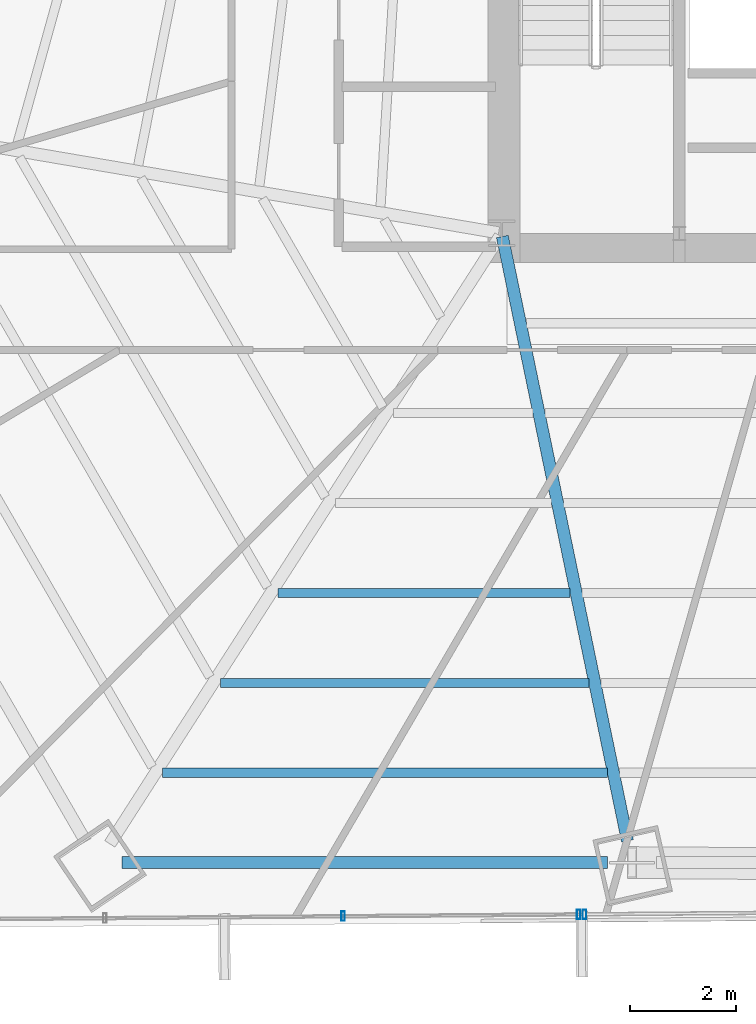
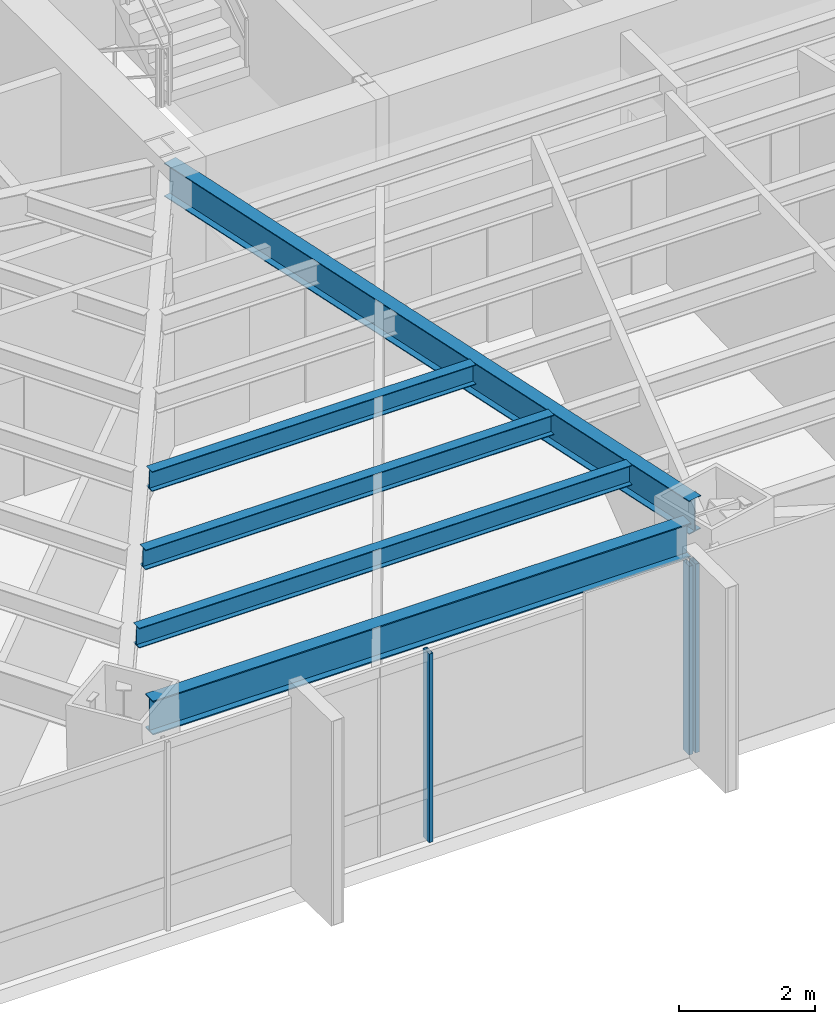
# One storey, part 8 of 36: 5 beams, 3 members, 2 elements without a shape of their own.
"""IFC4 building model written with IfcOpenShell, lengths in metres."""

from ifc_helpers import new_model, si_unit, direction, frame, origin, origin_2d, place, context, subcontext, project, spatial, hollow_rectangle, i_section, extrude, source, transform, mapped, material, material_profile, profile_set, type_object, type_shapes, element, aggregate, save


model = new_model("IFC4")

# Units and contexts
model_context = context("Model", 3, precision=1e-05, world=origin(), true_north=direction((0.0, 1.0)))
body_context = subcontext(model_context, "Body", "Model", "MODEL_VIEW")
ifc_project = project(units=[si_unit("LENGTHUNIT", "METRE"), si_unit("AREAUNIT", "SQUARE_METRE"), si_unit("VOLUMEUNIT", "CUBIC_METRE"), si_unit("PLANEANGLEUNIT", "RADIAN"), si_unit("MASSUNIT", "GRAM", prefix="KILO")], contexts=[model_context])

# Site, building, storey
site_placement = place(None, origin())
site = spatial("IfcSite", under=ifc_project, at=site_placement, CompositionType="ELEMENT")
building_placement = place(site_placement, origin())
building = spatial("IfcBuilding", under=site, at=building_placement, Name="Caelisora Broadcast Tower", CompositionType="ELEMENT")
storey_placement = place(building_placement, frame((0.0, 0.0, 60.449951171875)))
storey = spatial("IfcBuildingStorey", under=building, at=storey_placement, Name="L15", CompositionType="ELEMENT", Elevation=60.449951171875)

# Beams
ifc_material_1 = material(Name="Steel Grade 350 (AS/NZS 3679.1)", Category="steel")
ifc_material_profile_1 = material_profile(ifc_material_1, i_section(OverallWidth=0.22900390625, OverallDepth=0.611572265625, WebThickness=0.011962890625, FlangeThickness=0.01953125, at=origin_2d()), Name="Steel Grade 350 (AS/NZS 3679.1)")
ifc_profile_set_1 = profile_set([ifc_material_profile_1], Name="Steel Grade 350 (AS/NZS 3679.1)")
beam_type_1 = type_object("IfcBeamType", Name="PG03", PredefinedType="BEAM", material=ifc_profile_set_1)
shared_shape_1 = source(origin(), body_context, "Body", "SweptSolid", [
    extrude(i_section(OverallWidth=0.22900390625, OverallDepth=0.611572265625, WebThickness=0.011962890625, FlangeThickness=0.01953125, at=origin_2d()), origin(), (0.0, 0.0, 1.0), 9.16259765625),
])
type_shapes(beam_type_1, [shared_shape_1])
beam_1_placement = place(storey_placement, frame((23.336181640625, 5.52294921875, 3.09423828125), z_axis=(1.0, 0.0, 0.0), x_axis=(0.0, 1.0, 0.0)))
element("IfcBeam", 1, at=beam_1_placement, inside=storey, type_object=beam_type_1, Name="L15 beam PG03", PredefinedType="BEAM", context=body_context, shape_type="MappedRepresentation", body=[
    mapped(shared_shape_1, transform((0.0, 0.0, 0.0), scale=1.0)),
])
ifc_material_profile_2 = material_profile(ifc_material_1, i_section(OverallWidth=0.22802734375, OverallDepth=0.602294921875, WebThickness=0.010498046875, FlangeThickness=0.014892578125, at=origin_2d()), Name="Steel Grade 350 (AS/NZS 3679.1)")
ifc_profile_set_2 = profile_set([ifc_material_profile_2], Name="Steel Grade 350 (AS/NZS 3679.1)")
beam_type_2 = type_object("IfcBeamType", Name="PG04", PredefinedType="BEAM", material=ifc_profile_set_2)
shared_shape_2 = source(origin(), body_context, "Body", "SweptSolid", [
    extrude(i_section(OverallWidth=0.22802734375, OverallDepth=0.602294921875, WebThickness=0.010498046875, FlangeThickness=0.014892578125, at=origin_2d()), origin(), (0.0, 0.0, 1.0), 11.64892578125),
])
type_shapes(beam_type_2, [shared_shape_2])
beam_2_placement = place(storey_placement, frame((30.51220703125, 17.34130859375, 3.098876953125), z_axis=(0.202709558426, -0.979238905948, 0.0), x_axis=(0.979238905948, 0.202709558426, 0.0)))
element("IfcBeam", 2, at=beam_2_placement, inside=storey, type_object=beam_type_2, Name="L15 beam PG04", PredefinedType="BEAM", context=body_context, shape_type="MappedRepresentation", body=[
    mapped(shared_shape_2, transform((0.0, 0.0, 0.0), scale=1.0)),
])
ifc_material_profile_3 = material_profile(ifc_material_1, i_section(OverallWidth=0.172119140625, OverallDepth=0.358642578125, WebThickness=0.008056640625, FlangeThickness=0.012939453125, at=origin_2d()), Name="Steel Grade 350 (AS/NZS 3679.1)")
ifc_profile_set_3 = profile_set([ifc_material_profile_3], Name="Steel Grade 350 (AS/NZS 3679.1)")
beam_type_3 = type_object("IfcBeamType", Name="SB02", PredefinedType="JOIST", material=ifc_profile_set_3)
shared_shape_3 = source(origin(), body_context, "Body", "SweptSolid", [
    extrude(i_section(OverallWidth=0.172119140625, OverallDepth=0.358642578125, WebThickness=0.008056640625, FlangeThickness=0.012939453125, at=origin_2d()), origin(), (0.0, 0.0, 1.0), 5.515625),
])
beam_3_placement = place(storey_placement, frame((26.27587890625, 10.613037109375, 3.220703125), z_axis=(1.0, 0.0, 0.0), x_axis=(0.0, 1.0, 0.0)))
element("IfcBeam", 3, at=beam_3_placement, inside=storey, type_object=beam_type_3, Name="L15 beam SB02", PredefinedType="JOIST", context=body_context, shape_type="MappedRepresentation", body=[
    mapped(shared_shape_3, transform((0.0, 0.0, 0.0), scale=1.0)),
])
shared_shape_4 = source(origin(), body_context, "Body", "SweptSolid", [
    extrude(i_section(OverallWidth=0.172119140625, OverallDepth=0.358642578125, WebThickness=0.008056640625, FlangeThickness=0.012939453125, at=origin_2d()), origin(), (0.0, 0.0, 1.0), 6.955810546875),
])
beam_4_placement = place(storey_placement, frame((25.18701171875, 8.91650390625, 3.220703125), z_axis=(1.0, 0.0, 0.0), x_axis=(0.0, 1.0, 0.0)))
element("IfcBeam", 4, at=beam_4_placement, inside=storey, type_object=beam_type_3, Name="L15 beam SB02", PredefinedType="JOIST", context=body_context, shape_type="MappedRepresentation", body=[
    mapped(shared_shape_4, transform((0.0, 0.0, 0.0), scale=1.0)),
])
shared_shape_5 = source(origin(), body_context, "Body", "SweptSolid", [
    extrude(i_section(OverallWidth=0.172119140625, OverallDepth=0.358642578125, WebThickness=0.008056640625, FlangeThickness=0.012939453125, at=origin_2d()), origin(), (0.0, 0.0, 1.0), 8.396484375),
])
type_shapes(beam_type_3, [shared_shape_3, shared_shape_4, shared_shape_5])
beam_5_placement = place(storey_placement, frame((24.09765625, 7.2197265625, 3.220703125), z_axis=(1.0, 0.0, 0.0), x_axis=(0.0, 1.0, 0.0)))
element("IfcBeam", 5, at=beam_5_placement, inside=storey, type_object=beam_type_3, Name="L15 beam SB02", PredefinedType="JOIST", context=body_context, shape_type="MappedRepresentation", body=[
    mapped(shared_shape_5, transform((0.0, 0.0, 0.0), scale=1.0)),
])

# Curtain wall, member
ifc_material_2 = material(Name="Unitised Aluminium Insulated Shadow-Box Spandrel Curtain Wall", Category="aluminium")
curtain_wall_type_1 = type_object("IfcCurtainWallType", Name="CW-SP1", PredefinedType="NOTDEFINED", material=ifc_material_2)
curtain_wall_1_placement = place(storey_placement, origin())
curtain_wall_1 = element("IfcCurtainWall", 6, at=curtain_wall_1_placement, inside=storey, type_object=curtain_wall_type_1, Name="L15 curtain wall CW-SP1", PredefinedType="NOTDEFINED")
ifc_material_3 = material(Name="Aluminium 6063-T6 Anodised Terracotta Bronze", Category="aluminium")
ifc_material_profile_4 = material_profile(ifc_material_3, hollow_rectangle(XDim=0.06494140625, YDim=0.179931640625, WallThickness=0.00341796875, at=origin_2d()), Name="Aluminium 6063-T6 Anodised Terracotta Bronze")
ifc_profile_set_4 = profile_set([ifc_material_profile_4], Name="Aluminium 6063-T6 Anodised Terracotta Bronze")
member_type = type_object("IfcMemberType", Name="CWM-02", PredefinedType="MULLION", material=ifc_profile_set_4)
shared_shape_6 = source(origin(), body_context, "Body", "SweptSolid", [
    extrude(hollow_rectangle(XDim=0.06494140625, YDim=0.179931640625, WallThickness=0.00341796875, at=origin_2d()), origin(), (0.0, 0.0, 1.0), 3.400146484375),
])
type_shapes(member_type, [shared_shape_6])
member_1_placement = place(storey_placement, frame((32.062255859375, 4.546630859375, 0.0), z_axis=(0.0, 0.0, 1.0), x_axis=(1.0, 0.0, 0.0)))
member_1 = element("IfcMember", 7, at=member_1_placement, type_object=member_type, Name="L15-CW-B06 mullion #3", PredefinedType="MULLION", context=body_context, shape_type="MappedRepresentation", body=[
    mapped(shared_shape_6, transform((0.0, 0.0, 0.0), scale=1.0)),
])
aggregate(curtain_wall_1, [member_1])

# Curtain wall, members
ifc_material_4 = material(Name="Unitised Aluminium and Low-E Glass Curtain Wall", Category="glass")
curtain_wall_type_2 = type_object("IfcCurtainWallType", Name="CW-Z1", PredefinedType="NOTDEFINED", material=ifc_material_4)
curtain_wall_2_placement = place(storey_placement, origin())
curtain_wall_2 = element("IfcCurtainWall", 8, at=curtain_wall_2_placement, inside=storey, type_object=curtain_wall_type_2, Name="L15 curtain wall CW-Z1", PredefinedType="NOTDEFINED")
member_2_placement = place(storey_placement, frame((31.952392578125, 4.5458984375, 0.0), z_axis=(0.0, 0.0, 1.0), x_axis=(1.0, 0.0, 0.0)))
member_2 = element("IfcMember", 9, at=member_2_placement, type_object=member_type, Name="L15-CW-B07 mullion #0", PredefinedType="MULLION", context=body_context, shape_type="MappedRepresentation", body=[
    mapped(shared_shape_6, transform((0.0, 0.0, 0.0), scale=1.0)),
])
member_3_placement = place(storey_placement, frame((27.505615234375, 4.510498046875, 0.0), z_axis=(0.0, 0.0, 1.0), x_axis=(1.0, 0.0, 0.0)))
member_3 = element("IfcMember", 10, at=member_3_placement, type_object=member_type, Name="L15-CW-B07 mullion #1", PredefinedType="MULLION", context=body_context, shape_type="MappedRepresentation", body=[
    mapped(shared_shape_6, transform((0.0, 0.0, 0.0), scale=1.0)),
])
aggregate(curtain_wall_2, [member_2, member_3])

save(model, "model.ifc")
